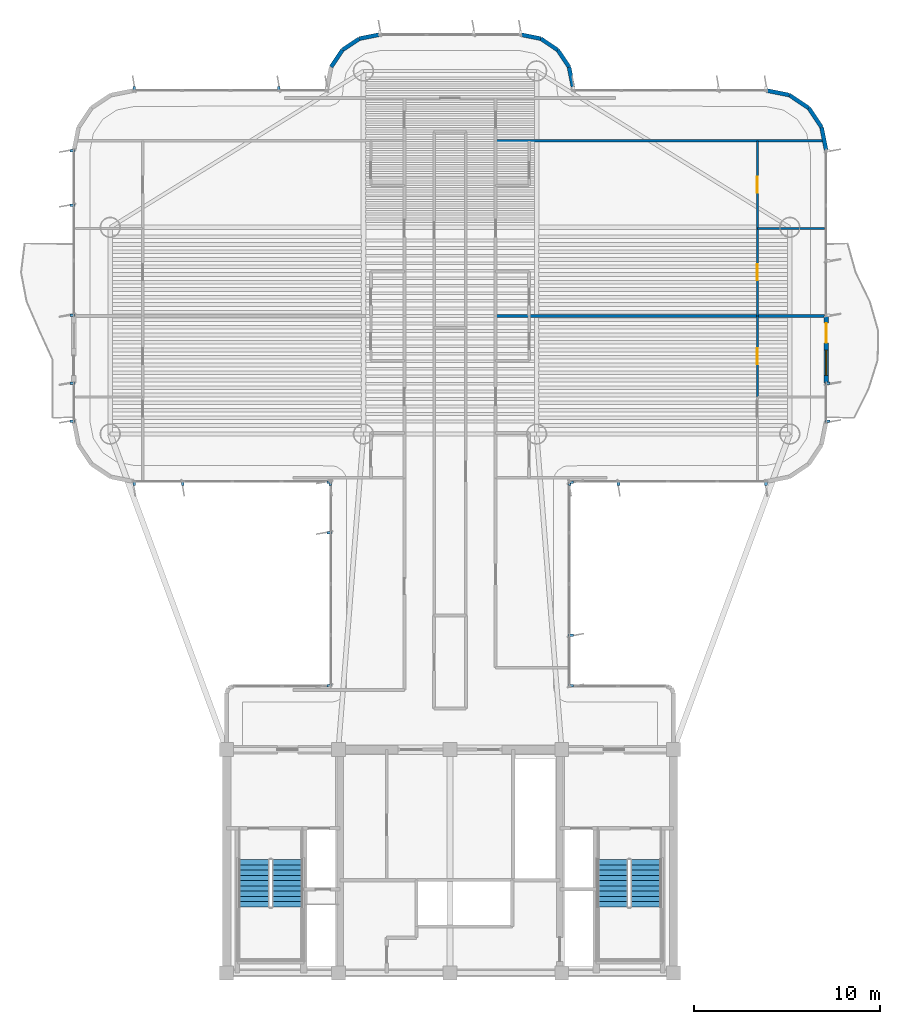
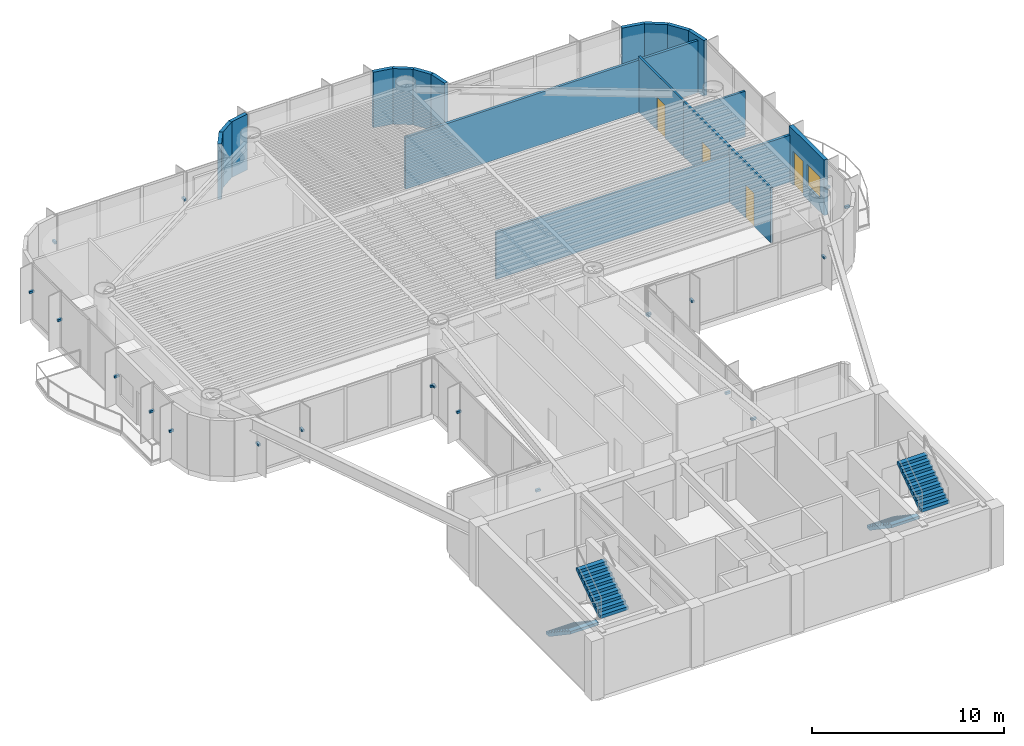
# One storey, part 12 of 15: 21 discrete accessories, 18 walls, 4 doors, 4 stair flights, 1 window, 5 openings, 2 elements without a shape of their own.
"""IFC4 building model written with IfcOpenShell, lengths in metres."""

from ifc_helpers import new_model, si_unit, direction, frame, frame_2d, origin, origin_2d, place, context, subcontext, project, spatial, polyline, rectangle, outline, extrude, source, transform, mapped, material, layer, layer_set, type_object, element, fill, aggregate, save


model = new_model("IFC4")

# Units and contexts
model_context = context("Model", 3, precision=1e-05, world=origin(), true_north=direction((0.0, 1.0)))
body_context = subcontext(model_context, "Body", "Model", "MODEL_VIEW")
ifc_project = project(units=[si_unit("LENGTHUNIT", "METRE"), si_unit("AREAUNIT", "SQUARE_METRE"), si_unit("VOLUMEUNIT", "CUBIC_METRE"), si_unit("PLANEANGLEUNIT", "RADIAN"), si_unit("MASSUNIT", "GRAM", prefix="KILO")], contexts=[model_context])

# Site, building, storey
site_placement = place(None, origin())
site = spatial("IfcSite", under=ifc_project, at=site_placement, CompositionType="ELEMENT")
building_placement = place(site_placement, origin())
building = spatial("IfcBuilding", under=site, at=building_placement, Name="Brelvock Crest Care Tower", CompositionType="ELEMENT")
storey_placement = place(building_placement, frame((0.0, 0.0, 156.419921875)))
storey = spatial("IfcBuildingStorey", under=building, at=storey_placement, Name="L39", CompositionType="ELEMENT", Elevation=156.419921875)

# Wall, openings, door, window
ifc_material_1 = material(Name="Precast concrete N40 (40 MPa)", Category="concrete")
ifc_layer_1 = layer(ifc_material_1, 0.239990234375, Name="WL-EX1")
ifc_layer_set_1 = layer_set([ifc_layer_1], Name="Precast concrete N40 (40 MPa)")
wall_type_1 = type_object("IfcWallType", Name="WL-EX1", PredefinedType="SOLIDWALL", material=ifc_layer_set_1)
wall_1_placement = place(storey_placement, frame((56.199951171875, 41.300048828125, 0.0), z_axis=(0.0, 0.0, 1.0), x_axis=(0.0, -1.0, 0.0)))
wall_1 = element("IfcWall", 1, at=wall_1_placement, inside=storey, type_object=wall_type_1, Name="L39 Exterior Spandrel Wall WL-BAL-L39-E", PredefinedType="SOLIDWALL", context=body_context, shape_type="SweptSolid", body=[
    extrude(rectangle(XDim=3.60009765625, YDim=0.239990234375, at=frame_2d((1.800048828125, 0.0))), origin(), (0.0, 0.0, 1.0), 3.530029296875),
])
opening_1_placement = place(wall_1_placement, frame((0.39990234375, 0.0, 0.0)))
opening_1 = element("IfcOpeningElement", 2, at=opening_1_placement, cuts=wall_1, Name="Opening BD-1", PredefinedType="OPENING", context=body_context, shape_type="SweptSolid", body=[
    extrude(rectangle(XDim=1.050048828125, YDim=2.14990234375, at=origin_2d()), frame((0.52490234375, 0.1298828125, 1.074951171875), z_axis=(0.0, -1.0, 0.0), x_axis=(1.0, 0.0, 0.0)), (0.0, 0.0, 1.0), 0.260009765625),
])
opening_2_placement = place(wall_1_placement, frame((1.85009765625, 0.0, 0.85009765625)))
opening_2 = element("IfcOpeningElement", 3, at=opening_2_placement, cuts=wall_1, Name="Opening W-01", PredefinedType="OPENING", context=body_context, shape_type="SweptSolid", body=[
    extrude(rectangle(XDim=1.35009765625, YDim=1.35009765625, at=origin_2d()), frame((0.675048828125, 0.1298828125, 0.675048828125), z_axis=(0.0, -1.0, 0.0), x_axis=(1.0, 0.0, 0.0)), (0.0, 0.0, 1.0), 0.260009765625),
])
ifc_material_2 = material(Name="Dark Glass Double Glazed Low-E", Category="glass")
door_type_1 = type_object("IfcDoorType", Name="DR-BAL1", OperationType="NOTDEFINED", PredefinedType="DOOR", material=ifc_material_2)
shared_shape_1 = source(origin(), body_context, "Body", "SweptSolid", [
    extrude(rectangle(XDim=1.050048828125, YDim=2.14990234375, at=origin_2d()), frame((0.52490234375, 0.02490234375, 1.074951171875), z_axis=(0.0, -1.0, 0.0), x_axis=(1.0, 0.0, 0.0)), (0.0, 0.0, 1.0), 0.050048828125),
])
door_1_placement = place(opening_1_placement, origin())
door_1 = element("IfcDoor", 4, at=door_1_placement, inside=storey, type_object=door_type_1, Name="L39 E Wave Balcony Glazed Door", OperationType="SINGLE_SWING_RIGHT", OverallHeight=2.14990234375, OverallWidth=1.050048828125, PredefinedType="DOOR", context=body_context, shape_type="MappedRepresentation", body=[
    mapped(shared_shape_1, transform((0.0, 0.0, 0.0), x_axis=(1.0, 0.0, 0.0), y_axis=(0.0, 1.0, 0.0), z_axis=(0.0, 0.0, 1.0), scale=1.0)),
])
fill(opening_1, door_1)
window_type = type_object("IfcWindowType", Name="WN-EX1", PartitioningType="SINGLE_PANEL", PredefinedType="WINDOW", material=ifc_material_2)
shared_shape_2 = source(origin(), body_context, "Body", "SweptSolid", [
    extrude(rectangle(XDim=1.35009765625, YDim=1.35009765625, at=origin_2d()), frame((0.675048828125, 0.030029296875, 0.675048828125), z_axis=(0.0, -1.0, 0.0), x_axis=(1.0, 0.0, 0.0)), (0.0, 0.0, 1.0), 0.06005859375),
])
window_placement = place(opening_2_placement, origin())
window = element("IfcWindow", 5, at=window_placement, inside=storey, type_object=window_type, Name="L39 E Suite Casement Window", OverallHeight=1.35009765625, OverallWidth=1.35009765625, PartitioningType="SINGLE_PANEL", PredefinedType="WINDOW", context=body_context, shape_type="MappedRepresentation", body=[
    mapped(shared_shape_2, transform((0.0, 0.0, 0.0), x_axis=(1.0, 0.0, 0.0), y_axis=(0.0, 1.0, 0.0), z_axis=(0.0, 0.0, 1.0), scale=1.0)),
])
fill(opening_2, window)

# Walls
ifc_layer_2 = layer(ifc_material_1, 0.215087890625, Name="WL-EX2")
ifc_layer_set_2 = layer_set([ifc_layer_2], Name="Precast concrete N40 (40 MPa)")
wall_type_2 = type_object("IfcWallType", Name="WL-EX2", PredefinedType="SOLIDWALL", material=ifc_layer_set_2)
wall_2_placement = place(storey_placement, frame((29.613037109375, 54.67138671875, 0.0), z_axis=(0.0, 0.0, 1.0), x_axis=(0.555679482341, 0.831396603857, 0.0)))
element("IfcWall", 6, at=wall_2_placement, inside=storey, type_object=wall_type_2, Name="L39 Rounded Corner Wall 25", PredefinedType="SOLIDWALL", context=body_context, shape_type="SweptSolid", body=[
    extrude(rectangle(XDim=1.0927734375, YDim=0.215087890625, at=frame_2d((0.54638671875, 0.0))), origin(), (0.0, 0.0, 1.0), 3.530029296875),
])
for number, where, z_axis, x_axis, name in (
    (7, (30.22021484375, 55.579833984375, 0.0), (0.0, 0.0, 1.0), (0.831327592857, 0.555782721353, 0.0), "L39 Rounded Corner Wall 26"),
    (8, (31.12841796875, 56.18701171875, 0.0), (0.0, 0.0, 1.0), (0.980829143587, 0.194869677195, 0.0), "L39 Rounded Corner Wall 27"),
    (9, (39.800048828125, 56.39990234375, 0.0), (0.0, 0.0, 1.0), (0.980829143587, -0.194869677195, 0.0), "L39 Rounded Corner Wall 29"),
    (10, (40.87158203125, 56.18701171875, 0.0), (0.0, 0.0, 1.0), (0.831327592857, -0.555782721353, 0.0), "L39 Rounded Corner Wall 30"),
):
    element("IfcWall", number, at=place(storey_placement, frame(where, z_axis=z_axis, x_axis=x_axis)), inside=storey, type_object=wall_type_2, Name=name, PredefinedType="SOLIDWALL", context=body_context, shape_type="SweptSolid", body=[
        extrude(rectangle(XDim=1.092529296875, YDim=0.215087890625, at=frame_2d((0.54638671875, 0.0))), origin(), (0.0, 0.0, 1.0), 3.530029296875),
    ])
wall_3_placement = place(storey_placement, frame((41.77978515625, 55.579833984375, 0.0), z_axis=(0.0, 0.0, 1.0), x_axis=(0.555679482341, -0.831396603857, 0.0)))
element("IfcWall", 11, at=wall_3_placement, inside=storey, type_object=wall_type_2, Name="L39 Rounded Corner Wall 31", PredefinedType="SOLIDWALL", context=body_context, shape_type="SweptSolid", body=[
    extrude(rectangle(XDim=1.0927734375, YDim=0.215087890625, at=frame_2d((0.54638671875, 0.0))), origin(), (0.0, 0.0, 1.0), 3.530029296875),
])
wall_4_placement = place(storey_placement, frame((42.386962890625, 54.67138671875, 0.0), z_axis=(0.0, 0.0, 1.0), x_axis=(0.195127417394, -0.980777900945, 0.0)))
element("IfcWall", 12, at=wall_4_placement, inside=storey, type_object=wall_type_2, Name="L39 Rounded Corner Wall 32", PredefinedType="SOLIDWALL", context=body_context, shape_type="SweptSolid", body=[
    extrude(rectangle(XDim=1.09228515625, YDim=0.215087890625, at=frame_2d((0.546142578125, 0.0))), origin(), (0.0, 0.0, 1.0), 3.530029296875),
])
for number, where, z_axis, x_axis, name in (
    (13, (53.0, 53.39990234375, 0.0), (0.0, 0.0, 1.0), (0.980813122964, -0.194950295773, 0.0), "L39 Rounded Corner Wall 35"),
    (14, (54.224609375, 53.156494140625, 0.0), (0.0, 0.0, 1.0), (0.831387912822, -0.555692485475, 0.0), "L39 Rounded Corner Wall 36"),
    (15, (55.2626953125, 52.462646484375, 0.0), (0.0, 0.0, 1.0), (0.555557312883, -0.831478245117, 0.0), "L39 Rounded Corner Wall 37"),
    (16, (55.956298828125, 51.424560546875, 0.0), (0.0, 0.0, 1.0), (0.195138390419, -0.980775717779, 0.0), "L39 Rounded Corner Wall 38"),
):
    element("IfcWall", number, at=place(storey_placement, frame(where, z_axis=z_axis, x_axis=x_axis)), inside=storey, type_object=wall_type_2, Name=name, PredefinedType="SOLIDWALL", context=body_context, shape_type="SweptSolid", body=[
        extrude(rectangle(XDim=1.24853515625, YDim=0.215087890625, at=frame_2d((0.624267578125, 0.0))), origin(), (0.0, 0.0, 1.0), 3.530029296875),
    ])
ifc_material_3 = material(Name="Masonry Blockwork Acoustic Partition", Category="masonry")
ifc_layer_3 = layer(ifc_material_3, 0.14990234375, Name="WL-INT1")
ifc_layer_set_3 = layer_set([ifc_layer_3], Name="Masonry Blockwork Acoustic Partition")
wall_type_3 = type_object("IfcWallType", Name="WL-INT1", PredefinedType="PARTITIONING", material=ifc_layer_set_3)
wall_5_placement = place(storey_placement, frame((38.449951171875, 41.2880859375, 0.0), z_axis=(0.0, 0.0, 1.0), x_axis=(1.0, 0.0, 0.0)))
element("IfcWall", 17, at=wall_5_placement, inside=storey, type_object=wall_type_3, Name="L39 Interior Wall WL-BX-L39-FL-EF1-N", PredefinedType="PARTITIONING", context=body_context, shape_type="SweptSolid", body=[
    extrude(rectangle(XDim=17.670166015625, YDim=0.14990234375, at=frame_2d((8.8349609375, 0.0))), origin(), (0.0, 0.0, 1.0), 2.982177734375),
])
wall_6_placement = place(storey_placement, frame((38.449951171875, 50.699951171875, 0.0), z_axis=(0.0, 0.0, 1.0), x_axis=(1.0, 0.0, 0.0)))
element("IfcWall", 18, at=wall_6_placement, inside=storey, type_object=wall_type_3, Name="L39 Interior Wall WL-BX-L39-FL-EF2-N", PredefinedType="PARTITIONING", context=body_context, shape_type="SweptSolid", body=[
    extrude(rectangle(XDim=17.569091796875, YDim=0.14990234375, at=frame_2d((8.78466796875, 0.0))), origin(), (0.0, 0.0, 1.0), 3.30810546875),
])
ifc_material_4 = material(Name="Gypsum Plasterboard Partition", Category="gypsum")
ifc_layer_4 = layer(ifc_material_4, 0.1201171875, Name="WL-INT2")
ifc_layer_set_4 = layer_set([ifc_layer_4], Name="Gypsum Plasterboard Partition")
wall_type_4 = type_object("IfcWallType", Name="WL-INT2", PredefinedType="PARTITIONING", material=ifc_layer_set_4)
wall_7_placement = place(storey_placement, frame((52.510009765625, 45.993896484375, 0.0), z_axis=(0.0, 0.0, 1.0), x_axis=(1.0, 0.0, 0.0)))
element("IfcWall", 19, at=wall_7_placement, inside=storey, type_object=wall_type_4, Name="L39 Interior Wall WL-UBSP-L39-EF2", PredefinedType="PARTITIONING", context=body_context, shape_type="SweptSolid", body=[
    extrude(rectangle(XDim=3.610107421875, YDim=0.1201171875, at=frame_2d((1.80517578125, 0.0))), origin(), (0.0, 0.0, 1.0), 2.903076171875),
])

# Wall, opening, door
wall_8_placement = place(storey_placement, frame((52.510009765625, 36.944091796875, 0.0), z_axis=(0.0, 0.0, 1.0), x_axis=(0.0, 1.0, 0.0)))
wall_8 = element("IfcWall", 20, at=wall_8_placement, inside=storey, type_object=wall_type_4, Name="L39 Interior Wall WL-UBD2-L39-EF1", PredefinedType="PARTITIONING", context=body_context, shape_type="SweptSolid", body=[
    extrude(rectangle(XDim=4.343994140625, YDim=0.1201171875, at=frame_2d((2.171875, 0.0))), origin(), (0.0, 0.0, 1.0), 3.5),
])
opening_3_placement = place(wall_8_placement, frame((1.741943359375, 0.0, 0.0)))
opening_3 = element("IfcOpeningElement", 21, at=opening_3_placement, cuts=wall_8, Name="Opening ID-1", PredefinedType="OPENING", context=body_context, shape_type="SweptSolid", body=[
    extrude(rectangle(XDim=0.860107421875, YDim=2.10009765625, at=origin_2d()), frame((0.43017578125, 0.070068359375, 1.050048828125), z_axis=(0.0, -1.0, 0.0), x_axis=(1.0, 0.0, 0.0)), (0.0, 0.0, 1.0), 0.14013671875),
])
ifc_material_5 = material(Name="Engineered Hardwood Timber", Category="wood")
door_type_2 = type_object("IfcDoorType", Name="DR-INT1", OperationType="NOTDEFINED", PredefinedType="DOOR", material=ifc_material_5)
shared_shape_3 = source(origin(), body_context, "Body", "SweptSolid", [
    extrude(rectangle(XDim=0.860107421875, YDim=2.10009765625, at=origin_2d()), frame((0.43017578125, 0.02490234375, 1.050048828125), z_axis=(0.0, -1.0, 0.0), x_axis=(1.0, 0.0, 0.0)), (0.0, 0.0, 1.0), 0.050048828125),
])
door_2_placement = place(opening_3_placement, origin())
door_2 = element("IfcDoor", 22, at=door_2_placement, inside=storey, type_object=door_type_2, Name="L39 Second Room Door EF1", OperationType="SINGLE_SWING_LEFT", OverallHeight=2.10009765625, OverallWidth=0.860107421875, PredefinedType="DOOR", context=body_context, shape_type="MappedRepresentation", body=[
    mapped(shared_shape_3, transform((0.0, 0.0, 0.0), x_axis=(1.0, 0.0, 0.0), y_axis=(0.0, 1.0, 0.0), z_axis=(0.0, 0.0, 1.0), scale=1.0)),
])
fill(opening_3, door_2)

wall_9_placement = place(storey_placement, frame((52.510009765625, 41.2880859375, 0.0), z_axis=(0.0, 0.0, 1.0), x_axis=(0.0, 1.0, 0.0)))
wall_9 = element("IfcWall", 23, at=wall_9_placement, inside=storey, type_object=wall_type_4, Name="L39 Interior Wall WL-UBD1-L39-EF2", PredefinedType="PARTITIONING", context=body_context, shape_type="SweptSolid", body=[
    extrude(rectangle(XDim=4.705810546875, YDim=0.1201171875, at=frame_2d((2.35302734375, 0.0))), origin(), (0.0, 0.0, 1.0), 3.5),
])
opening_4_placement = place(wall_9_placement, frame((1.923095703125, 0.0, 0.0)))
opening_4 = element("IfcOpeningElement", 24, at=opening_4_placement, cuts=wall_9, Name="Opening ID-1", PredefinedType="OPENING", context=body_context, shape_type="SweptSolid", body=[
    extrude(rectangle(XDim=0.860107421875, YDim=2.10009765625, at=origin_2d()), frame((0.43017578125, 0.070068359375, 1.050048828125), z_axis=(0.0, -1.0, 0.0), x_axis=(1.0, 0.0, 0.0)), (0.0, 0.0, 1.0), 0.14013671875),
])
door_3_placement = place(opening_4_placement, origin())
door_3 = element("IfcDoor", 25, at=door_3_placement, inside=storey, type_object=door_type_2, Name="L39 Primary Bedroom Door EF2", OperationType="SINGLE_SWING_RIGHT", OverallHeight=2.10009765625, OverallWidth=0.860107421875, PredefinedType="DOOR", context=body_context, shape_type="MappedRepresentation", body=[
    mapped(shared_shape_3, transform((0.0, 0.0, 0.0), x_axis=(1.0, 0.0, 0.0), y_axis=(0.0, 1.0, 0.0), z_axis=(0.0, 0.0, 1.0), scale=1.0)),
])
fill(opening_4, door_3)

wall_10_placement = place(storey_placement, frame((52.510009765625, 45.993896484375, 0.0), z_axis=(0.0, 0.0, 1.0), x_axis=(0.0, 1.0, 0.0)))
wall_10 = element("IfcWall", 26, at=wall_10_placement, inside=storey, type_object=wall_type_4, Name="L39 Interior Wall WL-UBD2-L39-EF2", PredefinedType="PARTITIONING", context=body_context, shape_type="SweptSolid", body=[
    extrude(rectangle(XDim=4.7060546875, YDim=0.1201171875, at=frame_2d((2.35302734375, 0.0))), origin(), (0.0, 0.0, 1.0), 3.5),
])
opening_5_placement = place(wall_10_placement, frame((1.923095703125, 0.0, 0.0)))
opening_5 = element("IfcOpeningElement", 27, at=opening_5_placement, cuts=wall_10, Name="Opening ID-1", PredefinedType="OPENING", context=body_context, shape_type="SweptSolid", body=[
    extrude(rectangle(XDim=0.860107421875, YDim=2.10009765625, at=origin_2d()), frame((0.43017578125, 0.070068359375, 1.050048828125), z_axis=(0.0, -1.0, 0.0), x_axis=(1.0, 0.0, 0.0)), (0.0, 0.0, 1.0), 0.14013671875),
])
door_4_placement = place(opening_5_placement, origin())
door_4 = element("IfcDoor", 28, at=door_4_placement, inside=storey, type_object=door_type_2, Name="L39 Second Room Door EF2", OperationType="SINGLE_SWING_LEFT", OverallHeight=2.10009765625, OverallWidth=0.860107421875, PredefinedType="DOOR", context=body_context, shape_type="MappedRepresentation", body=[
    mapped(shared_shape_3, transform((0.0, 0.0, 0.0), x_axis=(1.0, 0.0, 0.0), y_axis=(0.0, 1.0, 0.0), z_axis=(0.0, 0.0, 1.0), scale=1.0)),
])
fill(opening_5, door_4)

# Stair, stair flights
ifc_material_6 = material(Name="Concrete N40 (40 MPa)", Category="concrete")
stair_type = type_object("IfcStairType", Name="ST-CORE1", PredefinedType="HALF_TURN_STAIR", material=ifc_material_6)
stair_1_placement = place(storey_placement, origin())
stair_1 = element("IfcStair", 29, at=stair_1_placement, inside=storey, type_object=stair_type, Name="L39 Fire-Isolated Core Stair ST-1", PredefinedType="HALF_TURN_STAIR")
stair_flight_type = type_object("IfcStairFlightType", Name="STF-1", PredefinedType="STRAIGHT", material=ifc_material_6)
stair_flight_1_placement = place(storey_placement, frame((25.469970703125, 12.080078125, 0.0), z_axis=(0.0, 0.0, 1.0), x_axis=(0.0, -1.0, 0.0)))
stair_flight_1 = element("IfcStairFlight", 30, at=stair_flight_1_placement, type_object=stair_flight_type, Name="ST-1 flight 1", NumberOfRisers=10, NumberOfTreads=9, PredefinedType="STRAIGHT", RiserHeight=0.189, TreadLength=0.28, context=body_context, shape_type="SweptSolid", body=[
    extrude(outline(polyline([(-0.00390625, -0.014892578125), (-0.00390625, -0.0078125), (-0.00390625, -0.00048828125), (-0.00390625, 0.0068359375), (-0.00390625, 0.01416015625), (-0.00390625, 0.021484375), (-0.00390625, 0.02880859375), (-0.00390625, 0.035888671875), (-0.00390625, 0.043212890625), (-0.00390625, 0.050537109375), (-0.00390625, 0.057861328125), (-0.00390625, 0.065185546875), (-0.00390625, 0.072509765625), (-0.00390625, 0.07958984375), (-0.00390625, 0.0869140625), (-0.00390625, 0.09423828125), (-0.00390625, 0.1015625), (-0.00390625, 0.10888671875), (-0.00390625, 0.1162109375), (-0.00390625, 0.12353515625), (-0.00390625, 0.130615234375), (-0.00390625, 0.137939453125), (-0.00390625, 0.145263671875), (-0.00390625, 0.152587890625), (-0.00390625, 0.159912109375), (-0.00390625, 0.167236328125), (-0.00390625, 0.17431640625), (-0.00390625, 0.181640625), (-0.00390625, 0.18896484375), (0.0, 0.18896484375), (0.280029296875, 0.18896484375), (0.280029296875, 0.3779296875), (0.56005859375, 0.3779296875), (0.56005859375, 0.56689453125), (0.840087890625, 0.56689453125), (0.840087890625, 0.756103515625), (1.1201171875, 0.756103515625), (1.1201171875, 0.945068359375), (1.39990234375, 0.945068359375), (1.39990234375, 1.134033203125), (1.679931640625, 1.134033203125), (1.679931640625, 1.322998046875), (1.9599609375, 1.322998046875), (1.9599609375, 1.511962890625), (2.239990234375, 1.511962890625), (2.239990234375, 1.700927734375), (2.52001953125, 1.700927734375), (2.52392578125, 1.700927734375), (2.523681640625, 1.70068359375), (2.52392578125, 1.700439453125), (2.523681640625, 1.699951171875), (2.52392578125, 1.69970703125), (2.523681640625, 1.699462890625), (2.52392578125, 1.698974609375), (2.523681640625, 1.69873046875), (2.52392578125, 1.698486328125), (2.523681640625, 1.697998046875), (2.52392578125, 1.69775390625), (2.523681640625, 1.697509765625), (2.52392578125, 1.697021484375), (2.523681640625, 1.69677734375), (2.52392578125, 1.696533203125), (2.523681640625, 1.6962890625), (2.52392578125, 1.69580078125), (2.523681640625, 1.695556640625), (2.52392578125, 1.6953125), (2.523681640625, 1.69482421875), (2.52392578125, 1.694580078125), (2.523681640625, 1.6943359375), (2.52392578125, 1.69384765625), (2.523681640625, 1.693603515625), (2.52392578125, 1.693359375), (2.523681640625, 1.69287109375), (2.52392578125, 1.692626953125), (2.523681640625, 1.6923828125), (2.52392578125, 1.69189453125), (2.52001953125, 1.520263671875), (0.267822265625, 0.0), (0.0, 0.0), (0.0, -0.014892578125), (-0.00390625, -0.014892578125)])), frame((0.0, 0.83984375, 0.0), z_axis=(0.0, -1.0, 0.0), x_axis=(1.0, 0.0, 0.0)), (0.0, 0.0, 1.0), 1.679931640625),
])
stair_flight_2_placement = place(storey_placement, frame((27.27001953125, 9.56005859375, 1.89013671875), z_axis=(0.0, 0.0, 1.0), x_axis=(0.0, 1.0, 0.0)))
stair_flight_2 = element("IfcStairFlight", 31, at=stair_flight_2_placement, type_object=stair_flight_type, Name="ST-1 flight 2", NumberOfRisers=10, NumberOfTreads=9, PredefinedType="STRAIGHT", RiserHeight=0.189, TreadLength=0.28, context=body_context, shape_type="SweptSolid", body=[
    extrude(outline(polyline([(-0.00390625, -0.014892578125), (-0.00390625, -0.0078125), (-0.00390625, -0.00048828125), (-0.00390625, 0.0068359375), (-0.00390625, 0.01416015625), (-0.00390625, 0.021484375), (-0.00390625, 0.02880859375), (-0.00390625, 0.035888671875), (-0.00390625, 0.043212890625), (-0.00390625, 0.050537109375), (-0.00390625, 0.057861328125), (-0.00390625, 0.065185546875), (-0.00390625, 0.072509765625), (-0.00390625, 0.07958984375), (-0.00390625, 0.0869140625), (-0.00390625, 0.09423828125), (-0.00390625, 0.1015625), (-0.00390625, 0.10888671875), (-0.00390625, 0.1162109375), (-0.00390625, 0.12353515625), (-0.00390625, 0.130615234375), (-0.00390625, 0.137939453125), (-0.00390625, 0.145263671875), (-0.00390625, 0.152587890625), (-0.00390625, 0.159912109375), (-0.00390625, 0.167236328125), (-0.00390625, 0.17431640625), (-0.00390625, 0.181640625), (-0.00390625, 0.18896484375), (0.0, 0.18896484375), (0.280029296875, 0.18896484375), (0.280029296875, 0.3779296875), (0.56005859375, 0.3779296875), (0.56005859375, 0.56689453125), (0.840087890625, 0.56689453125), (0.840087890625, 0.756103515625), (1.1201171875, 0.756103515625), (1.1201171875, 0.945068359375), (1.39990234375, 0.945068359375), (1.39990234375, 1.134033203125), (1.679931640625, 1.134033203125), (1.679931640625, 1.322998046875), (1.9599609375, 1.322998046875), (1.9599609375, 1.511962890625), (2.239990234375, 1.511962890625), (2.239990234375, 1.700927734375), (2.52001953125, 1.700927734375), (2.52392578125, 1.700927734375), (2.523681640625, 1.70068359375), (2.52392578125, 1.700439453125), (2.523681640625, 1.699951171875), (2.52392578125, 1.69970703125), (2.523681640625, 1.699462890625), (2.52392578125, 1.698974609375), (2.523681640625, 1.69873046875), (2.52392578125, 1.698486328125), (2.523681640625, 1.697998046875), (2.52392578125, 1.69775390625), (2.523681640625, 1.697509765625), (2.52392578125, 1.697021484375), (2.523681640625, 1.69677734375), (2.52392578125, 1.696533203125), (2.523681640625, 1.6962890625), (2.52392578125, 1.69580078125), (2.523681640625, 1.695556640625), (2.52392578125, 1.6953125), (2.523681640625, 1.69482421875), (2.52392578125, 1.694580078125), (2.523681640625, 1.6943359375), (2.52392578125, 1.69384765625), (2.523681640625, 1.693603515625), (2.52392578125, 1.693359375), (2.523681640625, 1.69287109375), (2.52392578125, 1.692626953125), (2.523681640625, 1.6923828125), (2.52392578125, 1.69189453125), (2.52001953125, 1.520263671875), (0.267822265625, 0.0), (0.0, 0.0), (0.0, -0.014892578125), (-0.00390625, -0.014892578125)])), frame((0.0, 0.83984375, 0.0), z_axis=(0.0, -1.0, 0.0), x_axis=(1.0, 0.0, 0.0)), (0.0, 0.0, 1.0), 1.679931640625),
])
aggregate(stair_1, [stair_flight_1, stair_flight_2])

stair_2_placement = place(storey_placement, origin())
stair_2 = element("IfcStair", 32, at=stair_2_placement, inside=storey, type_object=stair_type, Name="L39 Fire-Isolated Core Stair ST-2", PredefinedType="HALF_TURN_STAIR")
stair_flight_3_placement = place(storey_placement, frame((44.72998046875, 12.080078125, 0.0), z_axis=(0.0, 0.0, 1.0), x_axis=(0.0, -1.0, 0.0)))
stair_flight_3 = element("IfcStairFlight", 33, at=stair_flight_3_placement, type_object=stair_flight_type, Name="ST-2 flight 1", NumberOfRisers=10, NumberOfTreads=9, PredefinedType="STRAIGHT", RiserHeight=0.189, TreadLength=0.28, context=body_context, shape_type="SweptSolid", body=[
    extrude(outline(polyline([(-0.00390625, -0.014892578125), (-0.00390625, -0.0078125), (-0.00390625, -0.00048828125), (-0.00390625, 0.0068359375), (-0.00390625, 0.01416015625), (-0.00390625, 0.021484375), (-0.00390625, 0.02880859375), (-0.00390625, 0.035888671875), (-0.00390625, 0.043212890625), (-0.00390625, 0.050537109375), (-0.00390625, 0.057861328125), (-0.00390625, 0.065185546875), (-0.00390625, 0.072509765625), (-0.00390625, 0.07958984375), (-0.00390625, 0.0869140625), (-0.00390625, 0.09423828125), (-0.00390625, 0.1015625), (-0.00390625, 0.10888671875), (-0.00390625, 0.1162109375), (-0.00390625, 0.12353515625), (-0.00390625, 0.130615234375), (-0.00390625, 0.137939453125), (-0.00390625, 0.145263671875), (-0.00390625, 0.152587890625), (-0.00390625, 0.159912109375), (-0.00390625, 0.167236328125), (-0.00390625, 0.17431640625), (-0.00390625, 0.181640625), (-0.00390625, 0.18896484375), (0.0, 0.18896484375), (0.280029296875, 0.18896484375), (0.280029296875, 0.3779296875), (0.56005859375, 0.3779296875), (0.56005859375, 0.56689453125), (0.840087890625, 0.56689453125), (0.840087890625, 0.756103515625), (1.1201171875, 0.756103515625), (1.1201171875, 0.945068359375), (1.39990234375, 0.945068359375), (1.39990234375, 1.134033203125), (1.679931640625, 1.134033203125), (1.679931640625, 1.322998046875), (1.9599609375, 1.322998046875), (1.9599609375, 1.511962890625), (2.239990234375, 1.511962890625), (2.239990234375, 1.700927734375), (2.52001953125, 1.700927734375), (2.52392578125, 1.700927734375), (2.523681640625, 1.70068359375), (2.52392578125, 1.700439453125), (2.523681640625, 1.699951171875), (2.52392578125, 1.69970703125), (2.523681640625, 1.699462890625), (2.52392578125, 1.698974609375), (2.523681640625, 1.69873046875), (2.52392578125, 1.698486328125), (2.523681640625, 1.697998046875), (2.52392578125, 1.69775390625), (2.523681640625, 1.697509765625), (2.52392578125, 1.697021484375), (2.523681640625, 1.69677734375), (2.52392578125, 1.696533203125), (2.523681640625, 1.6962890625), (2.52392578125, 1.69580078125), (2.523681640625, 1.695556640625), (2.52392578125, 1.6953125), (2.523681640625, 1.69482421875), (2.52392578125, 1.694580078125), (2.523681640625, 1.6943359375), (2.52392578125, 1.69384765625), (2.523681640625, 1.693603515625), (2.52392578125, 1.693359375), (2.523681640625, 1.69287109375), (2.52392578125, 1.692626953125), (2.523681640625, 1.6923828125), (2.52392578125, 1.69189453125), (2.52001953125, 1.520263671875), (0.267822265625, 0.0), (0.0, 0.0), (0.0, -0.014892578125), (-0.00390625, -0.014892578125)])), frame((0.0, 0.83984375, 0.0), z_axis=(0.0, -1.0, 0.0), x_axis=(1.0, 0.0, 0.0)), (0.0, 0.0, 1.0), 1.679931640625),
])
stair_flight_4_placement = place(storey_placement, frame((46.530029296875, 9.56005859375, 1.89013671875), z_axis=(0.0, 0.0, 1.0), x_axis=(0.0, 1.0, 0.0)))
stair_flight_4 = element("IfcStairFlight", 34, at=stair_flight_4_placement, type_object=stair_flight_type, Name="ST-2 flight 2", NumberOfRisers=10, NumberOfTreads=9, PredefinedType="STRAIGHT", RiserHeight=0.189, TreadLength=0.28, context=body_context, shape_type="SweptSolid", body=[
    extrude(outline(polyline([(-0.00390625, -0.014892578125), (-0.00390625, -0.0078125), (-0.00390625, -0.00048828125), (-0.00390625, 0.0068359375), (-0.00390625, 0.01416015625), (-0.00390625, 0.021484375), (-0.00390625, 0.02880859375), (-0.00390625, 0.035888671875), (-0.00390625, 0.043212890625), (-0.00390625, 0.050537109375), (-0.00390625, 0.057861328125), (-0.00390625, 0.065185546875), (-0.00390625, 0.072509765625), (-0.00390625, 0.07958984375), (-0.00390625, 0.0869140625), (-0.00390625, 0.09423828125), (-0.00390625, 0.1015625), (-0.00390625, 0.10888671875), (-0.00390625, 0.1162109375), (-0.00390625, 0.12353515625), (-0.00390625, 0.130615234375), (-0.00390625, 0.137939453125), (-0.00390625, 0.145263671875), (-0.00390625, 0.152587890625), (-0.00390625, 0.159912109375), (-0.00390625, 0.167236328125), (-0.00390625, 0.17431640625), (-0.00390625, 0.181640625), (-0.00390625, 0.18896484375), (0.0, 0.18896484375), (0.280029296875, 0.18896484375), (0.280029296875, 0.3779296875), (0.56005859375, 0.3779296875), (0.56005859375, 0.56689453125), (0.840087890625, 0.56689453125), (0.840087890625, 0.756103515625), (1.1201171875, 0.756103515625), (1.1201171875, 0.945068359375), (1.39990234375, 0.945068359375), (1.39990234375, 1.134033203125), (1.679931640625, 1.134033203125), (1.679931640625, 1.322998046875), (1.9599609375, 1.322998046875), (1.9599609375, 1.511962890625), (2.239990234375, 1.511962890625), (2.239990234375, 1.700927734375), (2.52001953125, 1.700927734375), (2.52392578125, 1.700927734375), (2.523681640625, 1.70068359375), (2.52392578125, 1.700439453125), (2.523681640625, 1.699951171875), (2.52392578125, 1.69970703125), (2.523681640625, 1.699462890625), (2.52392578125, 1.698974609375), (2.523681640625, 1.69873046875), (2.52392578125, 1.698486328125), (2.523681640625, 1.697998046875), (2.52392578125, 1.69775390625), (2.523681640625, 1.697509765625), (2.52392578125, 1.697021484375), (2.523681640625, 1.69677734375), (2.52392578125, 1.696533203125), (2.523681640625, 1.6962890625), (2.52392578125, 1.69580078125), (2.523681640625, 1.695556640625), (2.52392578125, 1.6953125), (2.523681640625, 1.69482421875), (2.52392578125, 1.694580078125), (2.523681640625, 1.6943359375), (2.52392578125, 1.69384765625), (2.523681640625, 1.693603515625), (2.52392578125, 1.693359375), (2.523681640625, 1.69287109375), (2.52392578125, 1.692626953125), (2.523681640625, 1.6923828125), (2.52392578125, 1.69189453125), (2.52001953125, 1.520263671875), (0.267822265625, 0.0), (0.0, 0.0), (0.0, -0.014892578125), (-0.00390625, -0.014892578125)])), frame((0.0, 0.83984375, 0.0), z_axis=(0.0, -1.0, 0.0), x_axis=(1.0, 0.0, 0.0)), (0.0, 0.0, 1.0), 1.679931640625),
])
aggregate(stair_2, [stair_flight_3, stair_flight_4])

# Discrete accessories
ifc_material_7 = material(Name="Steel Grade 350", Category="steel")
discrete_accessory_type = type_object("IfcDiscreteAccessoryType", Name="ACC-BRK1", PredefinedType="BRACKET", material=ifc_material_7)
shared_shape_4 = source(origin(), body_context, "Body", "SweptSolid", [
    extrude(rectangle(XDim=0.280029296875, YDim=0.139892578125, at=origin_2d()), origin(), (0.0, 0.0, 1.0), 0.139892578125),
])
for number, where, z_axis, x_axis, name in (
    (35, (29.52001953125, 21.429931640625, 1.6953125), (0.0, 0.0, 1.0), (-1.0, 0.0, 0.0), "L39 Facade Fin Bracket E11-01"),
    (36, (29.52001953125, 29.64990234375, 1.6953125), (0.0, 0.0, 1.0), (-1.0, 0.0, 0.0), "L39 Facade Fin Bracket E11-04"),
    (37, (29.52001953125, 32.3701171875, 1.6953125), (0.0, 0.0, 1.0), (-1.0, 0.0, 0.0), "L39 Facade Fin Bracket E11-05"),
    (38, (29.570068359375, 32.320068359375, 1.6953125), (0.0, 0.0, 1.0), (0.0, -1.0, 0.0), "L39 Facade Fin Bracket E12-01"),
    (39, (21.64990234375, 32.320068359375, 1.6953125), (0.0, 0.0, 1.0), (0.0, -1.0, 0.0), "L39 Facade Fin Bracket E12-04"),
    (40, (19.030029296875, 32.320068359375, 1.6953125), (0.0, 0.0, 1.0), (0.0, -1.0, 0.0), "L39 Facade Fin Bracket E12-05"),
    (41, (15.719970703125, 35.6298828125, 1.6953125), (0.0, 0.0, 1.0), (-1.0, 0.0, 0.0), "L39 Facade Fin Bracket E17A-01"),
    (42, (15.719970703125, 37.669921875, 1.6953125), (0.0, 0.0, 1.0), (-1.0, 0.0, 0.0), "L39 Facade Fin Bracket E17A-02"),
    (43, (15.719970703125, 41.330078125, 1.6953125), (0.0, 0.0, 1.0), (-1.0, 0.0, 0.0), "L39 Facade Fin Bracket E17B-01"),
    (44, (15.719970703125, 47.2333984375, 1.6953125), (0.0, 0.0, 1.0), (-1.0, 0.0, 0.0), "L39 Facade Fin Bracket E17B-03"),
    (45, (15.719970703125, 50.169921875, 1.6953125), (0.0, 0.0, 1.0), (-1.0, 0.0, 0.0), "L39 Facade Fin Bracket E17B-04"),
    (46, (19.030029296875, 53.47998046875, 1.6953125), (0.0, 0.0, 1.0), (0.0, 1.0, 0.0), "L39 Facade Fin Bracket E22-01"),
    (47, (26.800048828125, 53.47998046875, 1.6953125), (0.0, 0.0, 1.0), (0.0, 1.0, 0.0), "L39 Facade Fin Bracket E22-04"),
    (48, (56.280029296875, 37.669921875, 1.6953125), (0.0, 0.0, 1.0), (1.0, 0.0, 0.0), "L39 Facade Fin Bracket E39B-01"),
    (49, (56.280029296875, 35.6298828125, 1.6953125), (0.0, 0.0, 1.0), (1.0, 0.0, 0.0), "L39 Facade Fin Bracket E39B-02"),
    (50, (52.969970703125, 32.320068359375, 1.6953125), (0.0, 0.0, 1.0), (0.0, -1.0, 0.0), "L39 Facade Fin Bracket E44-01"),
    (51, (45.050048828125, 32.320068359375, 1.6953125), (0.0, 0.0, 1.0), (0.0, -1.0, 0.0), "L39 Facade Fin Bracket E44-04"),
    (52, (42.429931640625, 32.320068359375, 1.6953125), (0.0, 0.0, 1.0), (0.0, -1.0, 0.0), "L39 Facade Fin Bracket E44-05"),
    (53, (42.47998046875, 32.3701171875, 1.6953125), (0.0, 0.0, 1.0), (1.0, 0.0, 0.0), "L39 Facade Fin Bracket E45-01"),
    (54, (42.47998046875, 24.14990234375, 1.6953125), (0.0, 0.0, 1.0), (1.0, 0.0, 0.0), "L39 Facade Fin Bracket E45-04"),
    (55, (42.47998046875, 21.429931640625, 1.6953125), (0.0, 0.0, 1.0), (1.0, 0.0, 0.0), "L39 Facade Fin Bracket E45-05"),
):
    element("IfcDiscreteAccessory", number, at=place(storey_placement, frame(where, z_axis=z_axis, x_axis=x_axis)), inside=storey, type_object=discrete_accessory_type, Name=name, PredefinedType="BRACKET", context=body_context, shape_type="MappedRepresentation", body=[
        mapped(shared_shape_4, transform((0.0, 0.0, 0.0), x_axis=(1.0, 0.0, 0.0), y_axis=(0.0, 1.0, 0.0), z_axis=(0.0, 0.0, 1.0), scale=1.0)),
    ])

save(model, "model.ifc")
